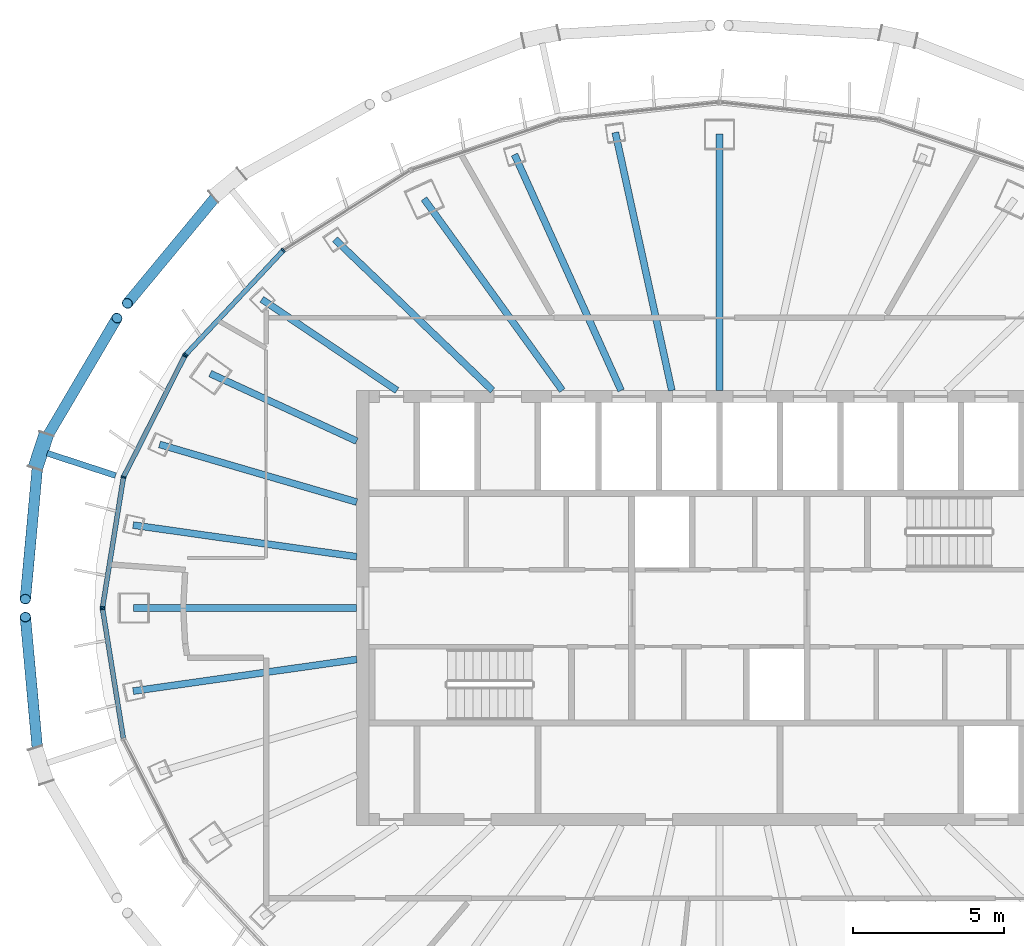
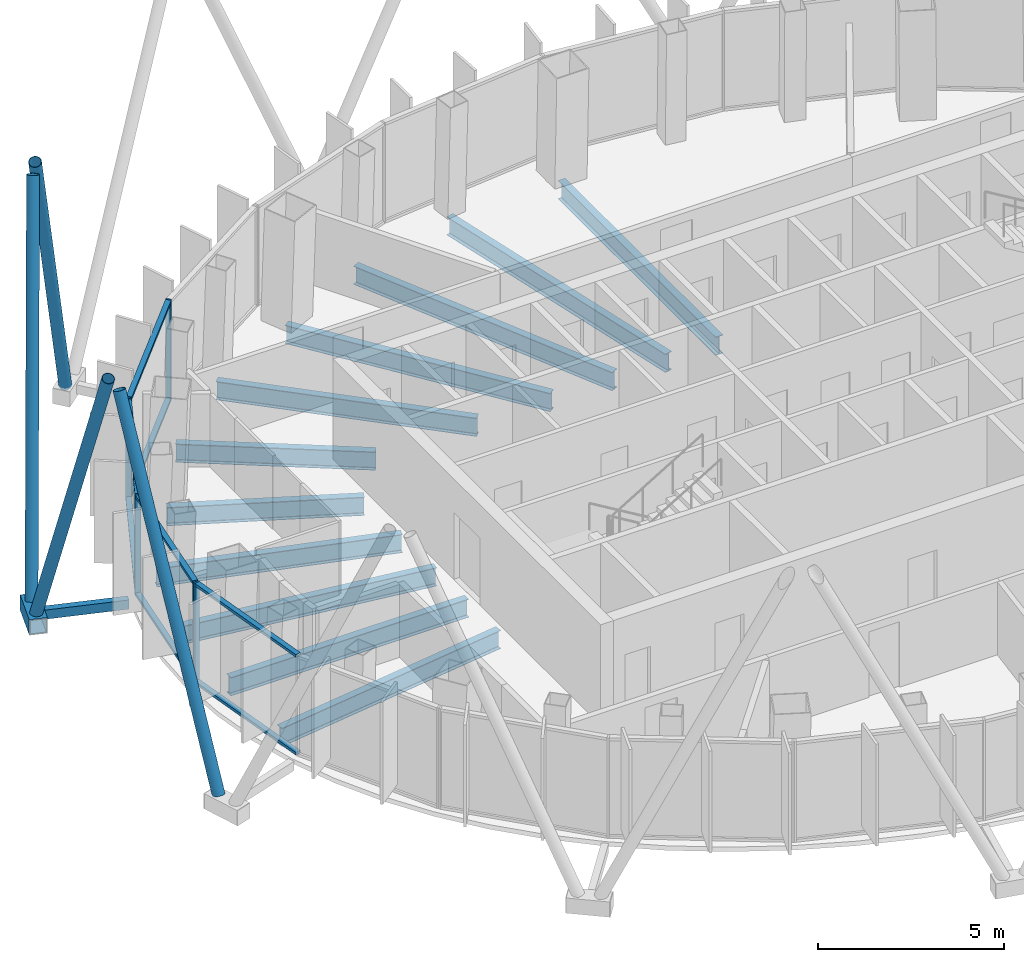
# One storey, part 4 of 18: 20 members, 11 beams, 3 elements without a shape of their own.
"""IFC4 building model written with IfcOpenShell, lengths in metres."""

from ifc_helpers import new_model, si_unit, direction, frame, origin, origin_2d, place, context, subcontext, project, spatial, rectangle, hollow_rectangle, hollow_circle, i_section, extrude, material, layer, layer_set, material_profile, profile_set, type_object, element, aggregate, save


model = new_model("IFC4")

# Units and contexts
model_context = context("Model", 3, precision=1e-05, world=origin(), true_north=direction((0.0, 1.0)))
body_context = subcontext(model_context, "Body", "Model", "MODEL_VIEW")
ifc_project = project(units=[si_unit("LENGTHUNIT", "METRE"), si_unit("AREAUNIT", "SQUARE_METRE"), si_unit("VOLUMEUNIT", "CUBIC_METRE"), si_unit("PLANEANGLEUNIT", "RADIAN"), si_unit("MASSUNIT", "GRAM", prefix="KILO")], contexts=[model_context])

# Site, building, storey
site_placement = place(None, origin())
site = spatial("IfcSite", under=ifc_project, at=site_placement, CompositionType="ELEMENT")
building_placement = place(site_placement, origin())
building = spatial("IfcBuilding", under=site, at=building_placement, Name="Siaravel Broadcast Tower", CompositionType="ELEMENT")
storey_placement = place(building_placement, frame((0.0, 0.0, 261.5)))
storey = spatial("IfcBuildingStorey", under=building, at=storey_placement, Name="L64", CompositionType="ELEMENT", Elevation=261.5)

# Beams
ifc_material_1 = material(Name="Steel S355", Category="steel")
ifc_material_profile_1 = material_profile(ifc_material_1, i_section(OverallWidth=0.2275390625, OverallDepth=0.6025390625, WebThickness=0.010498046875, FlangeThickness=0.014892578125, FilletRadius=0.0126953125, at=origin_2d()))
ifc_profile_set_1 = profile_set([ifc_material_profile_1], Name="Steel S355")
beam_type = type_object("IfcBeamType", Name="BM-UB 610x229x101", PredefinedType="BEAM", material=ifc_profile_set_1)
beam_1_placement = place(storey_placement, frame((0.0, 15.684814453125, -0.451416015625), z_axis=(0.0, -1.0, 0.0), x_axis=(1.0, 0.0, 0.0)))
element("IfcBeam", 1, at=beam_1_placement, inside=storey, type_object=beam_type, Name="Radial beam RB10", PredefinedType="BEAM", context=body_context, shape_type="SweptSolid", body=[
    extrude(i_section(OverallWidth=0.2275390625, OverallDepth=0.6025390625, WebThickness=0.010498046875, FlangeThickness=0.014892578125, FilletRadius=0.0126953125, at=origin_2d()), origin(), (0.0, 0.0, 1.0), 8.48486328125),
])
beam_2_placement = place(storey_placement, frame((-3.444091796875, 15.738037109375, -0.451416015625), z_axis=(0.213773519, -0.976883249, 0.0), x_axis=(0.976883249, 0.213773519, 0.0)))
element("IfcBeam", 2, at=beam_2_placement, inside=storey, type_object=beam_type, Name="Radial beam RB11", PredefinedType="BEAM", context=body_context, shape_type="SweptSolid", body=[
    extrude(i_section(OverallWidth=0.2275390625, OverallDepth=0.6025390625, WebThickness=0.010498046875, FlangeThickness=0.014892578125, FilletRadius=0.0126953125, at=origin_2d()), origin(), (0.0, 0.0, 1.0), 8.740234375),
])
beam_3_placement = place(storey_placement, frame((-6.780029296875, 15.006103515625, -0.451416015625), z_axis=(0.411731811, -0.911305062, 0.0), x_axis=(0.911305062, 0.411731811, 0.0)))
element("IfcBeam", 3, at=beam_3_placement, inside=storey, type_object=beam_type, Name="Radial beam RB12", PredefinedType="BEAM", context=body_context, shape_type="SweptSolid", body=[
    extrude(i_section(OverallWidth=0.2275390625, OverallDepth=0.6025390625, WebThickness=0.010498046875, FlangeThickness=0.014892578125, FilletRadius=0.0126953125, at=origin_2d()), origin(), (0.0, 0.0, 1.0), 8.56591796875),
])
beam_4_placement = place(storey_placement, frame((-9.775390625, 13.541748046875, -0.451416015625), z_axis=(0.585296794, -0.810819131, 0.0), x_axis=(0.810819131, 0.585296794, 0.0)))
element("IfcBeam", 4, at=beam_4_placement, inside=storey, type_object=beam_type, Name="Radial beam RB13", PredefinedType="BEAM", context=body_context, shape_type="SweptSolid", body=[
    extrude(i_section(OverallWidth=0.2275390625, OverallDepth=0.6025390625, WebThickness=0.010498046875, FlangeThickness=0.014892578125, FilletRadius=0.0126953125, at=origin_2d()), origin(), (0.0, 0.0, 1.0), 7.821533203125),
])
beam_5_placement = place(storey_placement, frame((-12.718505859375, 12.19873046875, -0.451416015625), z_axis=(0.721693293, -0.692212966, 0.0), x_axis=(0.692212966, 0.721693293, 0.0)))
element("IfcBeam", 5, at=beam_5_placement, inside=storey, type_object=beam_type, Name="Radial beam RB14", PredefinedType="BEAM", context=body_context, shape_type="SweptSolid", body=[
    extrude(i_section(OverallWidth=0.2275390625, OverallDepth=0.6025390625, WebThickness=0.010498046875, FlangeThickness=0.014892578125, FilletRadius=0.0126953125, at=origin_2d()), origin(), (0.0, 0.0, 1.0), 7.221435546875),
])
beam_6_placement = place(storey_placement, frame((-15.138671875, 10.216796875, -0.451416015625), z_axis=(0.828881737, -0.559423869, 0.0), x_axis=(0.559423869, 0.828881737, 0.0)))
element("IfcBeam", 6, at=beam_6_placement, inside=storey, type_object=beam_type, Name="Radial beam RB15", PredefinedType="BEAM", context=body_context, shape_type="SweptSolid", body=[
    extrude(i_section(OverallWidth=0.2275390625, OverallDepth=0.6025390625, WebThickness=0.010498046875, FlangeThickness=0.014892578125, FilletRadius=0.0126953125, at=origin_2d()), origin(), (0.0, 0.0, 1.0), 5.392822265625),
])
beam_7_placement = place(storey_placement, frame((-16.84716796875, 7.7587890625, -0.451416015625), z_axis=(0.908296515, -0.418326954, 0.0), x_axis=(0.418326954, 0.908296515, 0.0)))
element("IfcBeam", 7, at=beam_7_placement, inside=storey, type_object=beam_type, Name="Radial beam RB16", PredefinedType="BEAM", context=body_context, shape_type="SweptSolid", body=[
    extrude(i_section(OverallWidth=0.2275390625, OverallDepth=0.6025390625, WebThickness=0.010498046875, FlangeThickness=0.014892578125, FilletRadius=0.0126953125, at=origin_2d()), origin(), (0.0, 0.0, 1.0), 5.336669921875),
])
beam_8_placement = place(storey_placement, frame((-18.524658203125, 5.416015625, -0.451416015625), z_axis=(0.959814356, -0.280635711, 0.0), x_axis=(0.280635711, 0.959814356, 0.0)))
element("IfcBeam", 8, at=beam_8_placement, inside=storey, type_object=beam_type, Name="Radial beam RB17", PredefinedType="BEAM", context=body_context, shape_type="SweptSolid", body=[
    extrude(i_section(OverallWidth=0.2275390625, OverallDepth=0.6025390625, WebThickness=0.010498046875, FlangeThickness=0.014892578125, FilletRadius=0.0126953125, at=origin_2d()), origin(), (0.0, 0.0, 1.0), 6.7978515625),
])
beam_9_placement = place(storey_placement, frame((-19.398193359375, 2.746337890625, -0.451416015625), z_axis=(0.990127107, -0.140172435, 0.0), x_axis=(0.140172435, 0.990127107, 0.0)))
element("IfcBeam", 9, at=beam_9_placement, inside=storey, type_object=beam_type, Name="Radial beam RB18", PredefinedType="BEAM", context=body_context, shape_type="SweptSolid", body=[
    extrude(i_section(OverallWidth=0.2275390625, OverallDepth=0.6025390625, WebThickness=0.010498046875, FlangeThickness=0.014892578125, FilletRadius=0.0126953125, at=origin_2d()), origin(), (0.0, 0.0, 1.0), 7.471923828125),
])
beam_10_placement = place(storey_placement, frame((-19.3916015625, 0.0, -0.451416015625), z_axis=(1.0, 0.0, 0.0), x_axis=(0.0, 1.0, 0.0)))
element("IfcBeam", 10, at=beam_10_placement, inside=storey, type_object=beam_type, Name="Radial beam RB19", PredefinedType="BEAM", context=body_context, shape_type="SweptSolid", body=[
    extrude(i_section(OverallWidth=0.2275390625, OverallDepth=0.6025390625, WebThickness=0.010498046875, FlangeThickness=0.014892578125, FilletRadius=0.0126953125, at=origin_2d()), origin(), (0.0, 0.0, 1.0), 7.3916015625),
])
beam_11_placement = place(storey_placement, frame((-19.398193359375, -2.746337890625, -0.451416015625), z_axis=(0.990127107, 0.140172435, 0.0), x_axis=(-0.140172435, 0.990127107, 0.0)))
element("IfcBeam", 11, at=beam_11_placement, inside=storey, type_object=beam_type, Name="Radial beam RB20", PredefinedType="BEAM", context=body_context, shape_type="SweptSolid", body=[
    extrude(i_section(OverallWidth=0.2275390625, OverallDepth=0.6025390625, WebThickness=0.010498046875, FlangeThickness=0.014892578125, FilletRadius=0.0126953125, at=origin_2d()), origin(), (0.0, 0.0, 1.0), 7.471923828125),
])

# Curtain wall, members
ifc_material_2 = material(Name="Aluminium 6063-T6", Category="aluminium")
ifc_layer = layer(ifc_material_2, 0.159912109375)
ifc_layer_set = layer_set([ifc_layer], Name="Aluminium 6063-T6")
curtain_wall_type = type_object("IfcCurtainWallType", Name="Unitised curtain wall, zone 4", PredefinedType="NOTDEFINED", material=ifc_layer_set)
curtain_wall_1_placement = place(storey_placement, origin())
curtain_wall_1 = element("IfcCurtainWall", 12, at=curtain_wall_1_placement, inside=storey, type_object=curtain_wall_type, Name="L64 Unitised curtain wall, zone 4 05", PredefinedType="NOTDEFINED")
ifc_material_profile_2 = material_profile(ifc_material_2, rectangle(XDim=0.159912109375, YDim=0.054931640625, at=origin_2d()))
ifc_profile_set_2 = profile_set([ifc_material_profile_2], Name="Aluminium 6063-T6")
member_type_1 = type_object("IfcMemberType", Name="CW-Z4 mullion", PredefinedType="MULLION", material=ifc_profile_set_2)
member_1_placement = place(storey_placement, frame((-14.430908203125, 11.833251953125, 0.0), z_axis=(0.0, 0.0, 1.0), x_axis=(0.636220164, -0.771507552, 0.0)))
member_1 = element("IfcMember", 13, at=member_1_placement, type_object=member_type_1, Name="CW-Z4 mullion 2", PredefinedType="MULLION", context=body_context, shape_type="SweptSolid", body=[
    extrude(rectangle(XDim=0.159912109375, YDim=0.054931640625, at=origin_2d()), origin(), (0.0, 0.0, 1.0), 3.300048828125),
])
member_2_placement = place(storey_placement, frame((-17.657470703125, 8.388916015625, 0.0), z_axis=(0.0, 0.0, 1.0), x_axis=(0.729806776, -0.683653472, 0.0)))
member_2 = element("IfcMember", 14, at=member_2_placement, type_object=member_type_1, Name="CW-Z4 mullion 3", PredefinedType="MULLION", context=body_context, shape_type="SweptSolid", body=[
    extrude(rectangle(XDim=0.159912109375, YDim=0.054931640625, at=origin_2d()), origin(), (0.0, 0.0, 1.0), 3.300048828125),
])

curtain_wall_2_placement = place(storey_placement, origin())
curtain_wall_2 = element("IfcCurtainWall", 15, at=curtain_wall_2_placement, inside=storey, type_object=curtain_wall_type, Name="L64 Unitised curtain wall, zone 4 06", PredefinedType="NOTDEFINED")
member_3_placement = place(storey_placement, frame((-17.688720703125, 8.34423828125, 0.0), z_axis=(0.0, 0.0, 1.0), x_axis=(0.892393056, -0.451258942, 0.0)))
member_3 = element("IfcMember", 16, at=member_3_placement, type_object=member_type_1, Name="CW-Z4 mullion 1", PredefinedType="MULLION", context=body_context, shape_type="SweptSolid", body=[
    extrude(rectangle(XDim=0.159912109375, YDim=0.054931640625, at=origin_2d()), origin(), (0.0, 0.0, 1.0), 3.300048828125),
])
member_4_placement = place(storey_placement, frame((-19.71728515625, 4.33251953125, 0.0), z_axis=(0.0, 0.0, 1.0), x_axis=(0.951177692, -0.308643803, 0.0)))
member_4 = element("IfcMember", 17, at=member_4_placement, type_object=member_type_1, Name="CW-Z4 mullion 2", PredefinedType="MULLION", context=body_context, shape_type="SweptSolid", body=[
    extrude(rectangle(XDim=0.159912109375, YDim=0.054931640625, at=origin_2d()), origin(), (0.0, 0.0, 1.0), 3.300048828125),
])
member_5_placement = place(storey_placement, frame((-20.4091796875, 0.027099609375, 0.0), z_axis=(0.0, 0.0, 1.0), x_axis=(0.98732933, -0.158684574, 0.0)))
member_5 = element("IfcMember", 18, at=member_5_placement, type_object=member_type_1, Name="CW-Z4 mullion 3", PredefinedType="MULLION", context=body_context, shape_type="SweptSolid", body=[
    extrude(rectangle(XDim=0.159912109375, YDim=0.054931640625, at=origin_2d()), origin(), (0.0, 0.0, 1.0), 3.300048828125),
])

# Curtain wall, member
curtain_wall_3_placement = place(storey_placement, origin())
curtain_wall_3 = element("IfcCurtainWall", 19, at=curtain_wall_3_placement, inside=storey, type_object=curtain_wall_type, Name="L64 Unitised curtain wall, zone 4 07", PredefinedType="NOTDEFINED")
member_6_placement = place(storey_placement, frame((-20.4091796875, -0.027099609375, 0.0), z_axis=(0.0, 0.0, 1.0), x_axis=(0.98732933, 0.158684574, 0.0)))
member_6 = element("IfcMember", 20, at=member_6_placement, type_object=member_type_1, Name="CW-Z4 mullion 1", PredefinedType="MULLION", context=body_context, shape_type="SweptSolid", body=[
    extrude(rectangle(XDim=0.159912109375, YDim=0.054931640625, at=origin_2d()), origin(), (0.0, 0.0, 1.0), 3.300048828125),
])

# Member
ifc_material_profile_3 = material_profile(ifc_material_2, rectangle(XDim=0.159912109375, YDim=0.090087890625, at=origin_2d()))
ifc_profile_set_3 = profile_set([ifc_material_profile_3], Name="Aluminium 6063-T6")
member_type_2 = type_object("IfcMemberType", Name="CW-Z4 transom", PredefinedType="USERDEFINED", material=ifc_profile_set_3)
member_7_placement = place(storey_placement, frame((-14.44970703125, 11.813232421875, 0.044921875), z_axis=(-0.683648586, -0.729811353, 0.0), x_axis=(0.729811353, -0.683648586, 0.0)))
member_7 = element("IfcMember", 21, at=member_7_placement, type_object=member_type_2, Name="CW-Z4 transom 2", ObjectType="TRANSOM", PredefinedType="USERDEFINED", context=body_context, shape_type="SweptSolid", body=[
    extrude(rectangle(XDim=0.159912109375, YDim=0.090087890625, at=origin_2d()), origin(), (0.0, 0.0, 1.0), 4.66455078125),
])

member_8_placement = place(storey_placement, frame((-14.44970703125, 11.813232421875, 3.2548828125), z_axis=(-0.683648586, -0.729811353, 0.0), x_axis=(0.729811353, -0.683648586, 0.0)))
member_8 = element("IfcMember", 22, at=member_8_placement, type_object=member_type_2, Name="CW-Z4 transom 2", ObjectType="TRANSOM", PredefinedType="USERDEFINED", context=body_context, shape_type="SweptSolid", body=[
    extrude(rectangle(XDim=0.159912109375, YDim=0.090087890625, at=origin_2d()), origin(), (0.0, 0.0, 1.0), 4.66455078125),
])

aggregate(curtain_wall_1, [member_1, member_2, member_7, member_8])

member_9_placement = place(storey_placement, frame((-17.700927734375, 8.319580078125, 0.044921875), z_axis=(-0.45125586, -0.892394615, 0.0), x_axis=(0.892394615, -0.45125586, 0.0)))
member_9 = element("IfcMember", 23, at=member_9_placement, type_object=member_type_2, Name="CW-Z4 transom 1", ObjectType="TRANSOM", PredefinedType="USERDEFINED", context=body_context, shape_type="SweptSolid", body=[
    extrude(rectangle(XDim=0.159912109375, YDim=0.090087890625, at=origin_2d()), origin(), (0.0, 0.0, 1.0), 4.440185546875),
])

member_10_placement = place(storey_placement, frame((-17.700927734375, 8.319580078125, 3.2548828125), z_axis=(-0.45125586, -0.892394615, 0.0), x_axis=(0.892394615, -0.45125586, 0.0)))
member_10 = element("IfcMember", 24, at=member_10_placement, type_object=member_type_2, Name="CW-Z4 transom 1", ObjectType="TRANSOM", PredefinedType="USERDEFINED", context=body_context, shape_type="SweptSolid", body=[
    extrude(rectangle(XDim=0.159912109375, YDim=0.090087890625, at=origin_2d()), origin(), (0.0, 0.0, 1.0), 4.440185546875),
])

member_11_placement = place(storey_placement, frame((-19.721435546875, 4.305419921875, 0.044921875), z_axis=(-0.158704745, -0.987326088, 0.0), x_axis=(0.987326088, -0.158704745, 0.0)))
member_11 = element("IfcMember", 25, at=member_11_placement, type_object=member_type_2, Name="CW-Z4 transom 2", ObjectType="TRANSOM", PredefinedType="USERDEFINED", context=body_context, shape_type="SweptSolid", body=[
    extrude(rectangle(XDim=0.159912109375, YDim=0.090087890625, at=origin_2d()), origin(), (0.0, 0.0, 1.0), 4.305908203125),
])

member_12_placement = place(storey_placement, frame((-19.721435546875, 4.305419921875, 3.2548828125), z_axis=(-0.158704745, -0.987326088, 0.0), x_axis=(0.987326088, -0.158704745, 0.0)))
member_12 = element("IfcMember", 26, at=member_12_placement, type_object=member_type_2, Name="CW-Z4 transom 2", ObjectType="TRANSOM", PredefinedType="USERDEFINED", context=body_context, shape_type="SweptSolid", body=[
    extrude(rectangle(XDim=0.159912109375, YDim=0.090087890625, at=origin_2d()), origin(), (0.0, 0.0, 1.0), 4.305908203125),
])

aggregate(curtain_wall_2, [member_3, member_4, member_5, member_9, member_10, member_11, member_12])

member_13_placement = place(storey_placement, frame((-20.40478515625, -0.05419921875, 0.044921875), z_axis=(0.158704745, -0.987326088, 0.0), x_axis=(0.987326088, 0.158704745, 0.0)))
member_13 = element("IfcMember", 27, at=member_13_placement, type_object=member_type_2, Name="CW-Z4 transom 1", ObjectType="TRANSOM", PredefinedType="USERDEFINED", context=body_context, shape_type="SweptSolid", body=[
    extrude(rectangle(XDim=0.159912109375, YDim=0.090087890625, at=origin_2d()), origin(), (0.0, 0.0, 1.0), 4.305908203125),
])

member_14_placement = place(storey_placement, frame((-20.40478515625, -0.05419921875, 3.2548828125), z_axis=(0.158704745, -0.987326088, 0.0), x_axis=(0.987326088, 0.158704745, 0.0)))
member_14 = element("IfcMember", 28, at=member_14_placement, type_object=member_type_2, Name="CW-Z4 transom 1", ObjectType="TRANSOM", PredefinedType="USERDEFINED", context=body_context, shape_type="SweptSolid", body=[
    extrude(rectangle(XDim=0.159912109375, YDim=0.090087890625, at=origin_2d()), origin(), (0.0, 0.0, 1.0), 4.305908203125),
])

aggregate(curtain_wall_3, [member_6, member_13, member_14])

# Members
ifc_material_3 = material(Name="Steel S460", Category="steel")
ifc_material_profile_4 = material_profile(ifc_material_3, hollow_circle(Radius=0.177734375, WallThickness=0.012451171875, at=origin_2d()))
ifc_profile_set_4 = profile_set([ifc_material_profile_4], Name="Steel S460")
member_type_3 = type_object("IfcMemberType", Name="Diagrid diagonal CHS 355.6x12.5", PredefinedType="BRACE", material=ifc_profile_set_4)
member_15_placement = place(storey_placement, frame((-16.501708984375, 13.803955078125, 0.02001953125), z_axis=(-0.2638169, -0.318144412, 0.910595836), x_axis=(0.769770055, -0.638321285, 0.0)))
element("IfcMember", 29, at=member_15_placement, inside=storey, type_object=member_type_3, Name="Diagrid diagonal R26 station 27A", PredefinedType="BRACE", context=body_context, shape_type="SweptSolid", body=[
    extrude(hollow_circle(Radius=0.177734375, WallThickness=0.012451171875, at=origin_2d()), origin(), (0.0, 0.0, 1.0), 11.70654296875),
])
member_16_placement = place(storey_placement, frame((-22.358154296875, 5.47412109375, 0.02001953125), z_axis=(0.207740369, 0.35279505, 0.912348394), x_axis=(-0.86170584, 0.507408165, 0.0)))
element("IfcMember", 30, at=member_16_placement, inside=storey, type_object=member_type_3, Name="Diagrid diagonal R26 station 33C", PredefinedType="BRACE", context=body_context, shape_type="SweptSolid", body=[
    extrude(hollow_circle(Radius=0.177734375, WallThickness=0.012451171875, at=origin_2d()), origin(), (0.0, 0.0, 1.0), 11.68408203125),
])
for number, where, z_axis, x_axis, name in (
    (31, (-22.5419921875, 4.912353515625, 0.02001953125), (-0.036250388, -0.397158076, 0.917034008), (0.995860335, -0.090896612, 0.0), "Diagrid diagonal R26 station 33A"),
    (32, (-22.5419921875, -4.912353515625, 0.02001953125), (-0.036250388, 0.397158076, 0.917034008), (-0.995860335, -0.090896612, 0.0), "Diagrid diagonal R26 station 39C"),
):
    element("IfcMember", number, at=place(storey_placement, frame(where, z_axis=z_axis, x_axis=x_axis)), inside=storey, type_object=member_type_3, Name=name, PredefinedType="BRACE", context=body_context, shape_type="SweptSolid", body=[
        extrude(hollow_circle(Radius=0.177734375, WallThickness=0.012451171875, at=origin_2d()), origin(), (0.0, 0.0, 1.0), 11.624267578125),
    ])
ifc_material_profile_5 = material_profile(ifc_material_3, hollow_rectangle(XDim=0.5, YDim=0.5, WallThickness=0.031982421875, at=origin_2d()))
ifc_profile_set_5 = profile_set([ifc_material_profile_5], Name="Steel S460")
member_type_4 = type_object("IfcMemberType", Name="Diagrid node BOX 500x500x32", PredefinedType="USERDEFINED", material=ifc_profile_set_5)
member_17_placement = place(storey_placement, frame((-22.265380859375, 5.75732421875, -0.199951171875), z_axis=(-0.31103906, -0.950397129, 0.0), x_axis=(0.950397129, -0.31103906, 0.0)))
element("IfcMember", 33, at=member_17_placement, inside=storey, type_object=member_type_4, Name="Diagrid node R26 station 33", ObjectType="DIAGRID NODE", PredefinedType="USERDEFINED", context=body_context, shape_type="SweptSolid", body=[
    extrude(hollow_rectangle(XDim=0.5, YDim=0.5, WallThickness=0.031982421875, at=origin_2d()), origin(), (0.0, 0.0, 1.0), 1.186767578125),
])
ifc_material_profile_6 = material_profile(ifc_material_3, hollow_rectangle(XDim=0.199951171875, YDim=0.300048828125, WallThickness=0.012451171875, at=origin_2d()))
ifc_profile_set_6 = profile_set([ifc_material_profile_6], Name="Steel S460")
member_type_5 = type_object("IfcMemberType", Name="Diagrid node arm RHS 300x200x12.5", PredefinedType="STRUT", material=ifc_profile_set_6)
member_18_placement = place(storey_placement, frame((-19.978759765625, 4.385009765625, -0.199951171875), z_axis=(-0.950442877, 0.31089924, 0.0), x_axis=(-0.31089924, -0.950442877, 0.0)))
element("IfcMember", 34, at=member_18_placement, inside=storey, type_object=member_type_5, Name="Node arm R26 station 33", PredefinedType="STRUT", context=body_context, shape_type="SweptSolid", body=[
    extrude(hollow_rectangle(XDim=0.199951171875, YDim=0.300048828125, WallThickness=0.012451171875, at=origin_2d()), origin(), (0.0, 0.0, 1.0), 2.380126953125),
])

save(model, "model.ifc")
